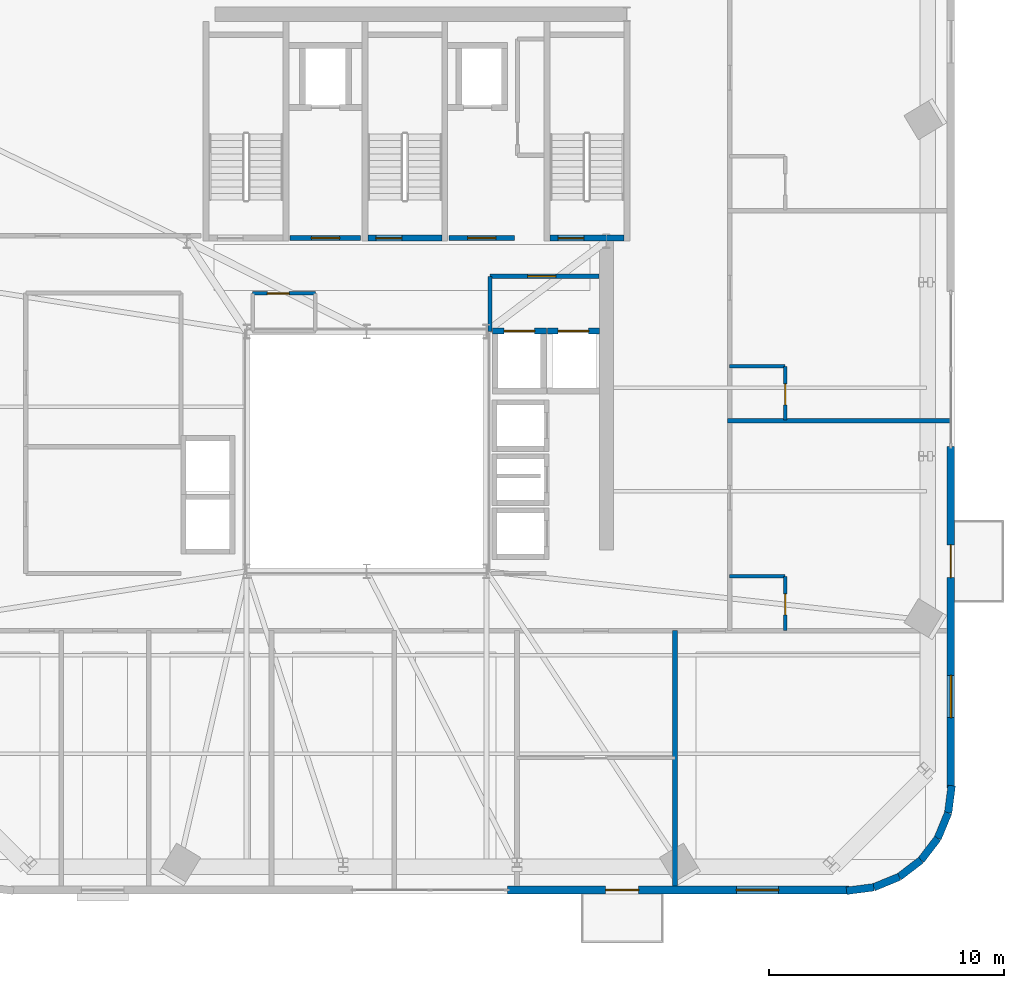
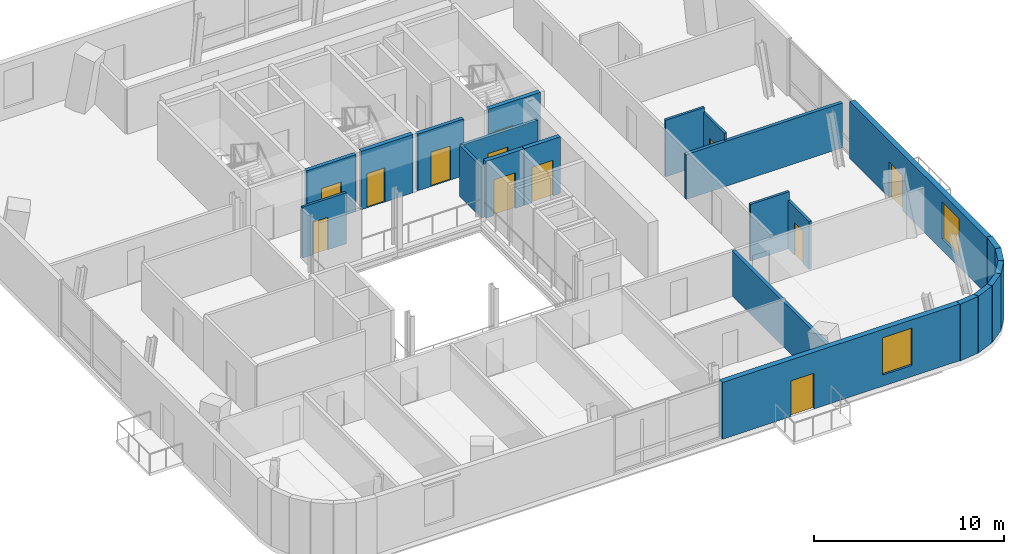
# One storey, part 9 of 15: 23 walls, 12 doors, 2 windows, 14 openings.
"""IFC4 building model written with IfcOpenShell, lengths in metres."""

from ifc_helpers import new_model, si_unit, direction, frame, frame_2d, origin, place, context, subcontext, project, spatial, rectangle, extrude, source, transform, mapped, material, layer, layer_set, type_object, element, fill, save


model = new_model("IFC4")

# Units and contexts
model_context = context("Model", 3, precision=1e-05, world=origin(), true_north=direction((0.0, 1.0)))
body_context = subcontext(model_context, "Body", "Model", "MODEL_VIEW")
ifc_project = project(units=[si_unit("LENGTHUNIT", "METRE"), si_unit("AREAUNIT", "SQUARE_METRE"), si_unit("VOLUMEUNIT", "CUBIC_METRE"), si_unit("PLANEANGLEUNIT", "RADIAN"), si_unit("MASSUNIT", "GRAM", prefix="KILO")], contexts=[model_context])

# Site, building, storey
site_placement = place(None, origin())
site = spatial("IfcSite", under=ifc_project, at=site_placement, CompositionType="ELEMENT")
building_placement = place(site_placement, origin())
building = spatial("IfcBuilding", under=site, at=building_placement, Name="Vardaveli Station Tower", CompositionType="ELEMENT")
storey_placement = place(building_placement, frame((0.0, 0.0, 262.449951171875)))
storey = spatial("IfcBuildingStorey", under=building, at=storey_placement, Name="L67", CompositionType="ELEMENT", Elevation=262.449951171875)

# Wall, openings, door, window
ifc_material_1 = material(Name="Precast concrete C45/55", Category="concrete")
ifc_layer_1 = layer(ifc_material_1, 0.320068359375, Name="Precast concrete C45/55")
ifc_layer_set_1 = layer_set([ifc_layer_1], Name="Precast concrete C45/55")
wall_type_1 = type_object("IfcWallType", Name="WAL-EXT-STONE-320", PredefinedType="SOLIDWALL", material=ifc_layer_set_1)
shared_shape_1 = source(origin(), body_context, "Body", "SweptSolid", [
    extrude(rectangle(XDim=14.52001953125, YDim=0.320068359375, at=frame_2d((7.260009765625, 0.0))), origin(), (0.0, 0.0, 1.0), 3.650146484375),
])
wall_1_placement = place(storey_placement, frame((42.300048828125, 3.0400390625, 0.0), z_axis=(0.0, 0.0, 1.0), x_axis=(1.0, 0.0, 0.0)))
wall_1 = element("IfcWall", 1, at=wall_1_placement, inside=storey, type_object=wall_type_1, Name="EW-L67-S2", PredefinedType="SOLIDWALL", context=body_context, shape_type="MappedRepresentation", body=[
    mapped(shared_shape_1, transform((0.0, 0.0, 0.0), scale=1.0)),
])
shared_shape_2 = source(origin(), body_context, "Body", "SweptSolid", [
    extrude(rectangle(XDim=1.39990234375, YDim=2.300048828125, at=frame_2d((0.699951171875, 1.14990234375))), frame((0.0, 0.169921875, 0.0), z_axis=(0.0, -1.0, 0.0), x_axis=(1.0, 0.0, 0.0)), (0.0, 0.0, 1.0), 0.340087890625),
])
opening_1_placement = place(wall_1_placement, frame((4.1748046875, 0.0, 0.0)))
opening_1 = element("IfcOpeningElement", 2, at=opening_1_placement, cuts=wall_1, Name="Opening D-09", PredefinedType="OPENING", context=body_context, shape_type="MappedRepresentation", body=[
    mapped(shared_shape_2, transform((0.0, 0.0, 0.0), scale=1.0)),
])
shared_shape_3 = source(origin(), body_context, "Body", "SweptSolid", [
    extrude(rectangle(XDim=1.800048828125, YDim=2.39990234375, at=frame_2d((0.89990234375, 1.199951171875))), frame((0.0, 0.169921875, 0.0), z_axis=(0.0, -1.0, 0.0), x_axis=(1.0, 0.0, 0.0)), (0.0, 0.0, 1.0), 0.340087890625),
])
opening_2_placement = place(wall_1_placement, frame((9.73095703125, 0.0, 0.719970703125)))
opening_2 = element("IfcOpeningElement", 3, at=opening_2_placement, cuts=wall_1, Name="Opening W-05", PredefinedType="OPENING", context=body_context, shape_type="MappedRepresentation", body=[
    mapped(shared_shape_3, transform((0.0, 0.0, 0.0), scale=1.0)),
])
ifc_material_2 = material(Name="Thermally broken aluminium glass", Category="aluminium")
door_type_1 = type_object("IfcDoorType", Name="DR-LOG-1400x2300", OperationType="DOUBLE_DOOR_SLIDING", PredefinedType="DOOR", material=ifc_material_2)
shared_shape_4 = source(origin(), body_context, "Body", "SweptSolid", [
    extrude(rectangle(XDim=1.39990234375, YDim=2.300048828125, at=frame_2d((0.699951171875, 1.14990234375))), frame((0.0, 0.02490234375, 0.0), z_axis=(0.0, -1.0, 0.0), x_axis=(1.0, 0.0, 0.0)), (0.0, 0.0, 1.0), 0.050048828125),
])
door_1_placement = place(opening_1_placement, frame((1.39990234375, 0.0, 0.0), z_axis=(0.0, 0.0, 1.0), x_axis=(-1.0, 0.0, 0.0)))
door_1 = element("IfcDoor", 4, at=door_1_placement, inside=storey, type_object=door_type_1, Name="DLG-L67-S", OperationType="DOUBLE_DOOR_SLIDING", OverallHeight=2.300048828125, OverallWidth=1.39990234375, PredefinedType="DOOR", context=body_context, shape_type="MappedRepresentation", body=[
    mapped(shared_shape_4, transform((0.0, 0.0, 0.0), scale=1.0)),
])
fill(opening_1, door_1)
ifc_material_3 = material(Name="Low-E solar-control glass", Category="glass")
window_type = type_object("IfcWindowType", Name="WIN-HIGH-1800x2400", PartitioningType="SINGLE_PANEL", PredefinedType="WINDOW", material=ifc_material_3)
shared_shape_5 = source(origin(), body_context, "Body", "SweptSolid", [
    extrude(rectangle(XDim=1.800048828125, YDim=2.39990234375, at=frame_2d((0.89990234375, 1.199951171875))), frame((0.0, 0.030029296875, 0.0), z_axis=(0.0, -1.0, 0.0), x_axis=(1.0, 0.0, 0.0)), (0.0, 0.0, 1.0), 0.06005859375),
])
window_1_placement = place(opening_2_placement, origin())
window_1 = element("IfcWindow", 5, at=window_1_placement, inside=storey, type_object=window_type, Name="WN-L67-S2", OverallHeight=2.39990234375, OverallWidth=1.800048828125, PartitioningType="SINGLE_PANEL", PredefinedType="WINDOW", context=body_context, shape_type="MappedRepresentation", body=[
    mapped(shared_shape_5, transform((0.0, 0.0, 0.0), scale=1.0)),
])
fill(opening_2, window_1)

wall_2_placement = place(storey_placement, frame((61.159912109375, 7.3798828125, 0.0), z_axis=(0.0, 0.0, 1.0), x_axis=(0.0, 1.0, 0.0)))
wall_2 = element("IfcWall", 6, at=wall_2_placement, inside=storey, type_object=wall_type_1, Name="EW-L67-E1", PredefinedType="SOLIDWALL", context=body_context, shape_type="MappedRepresentation", body=[
    mapped(shared_shape_1, transform((0.0, 0.0, 0.0), scale=1.0)),
])
opening_3_placement = place(wall_2_placement, frame((8.945068359375, 0.0, 0.0)))
opening_3 = element("IfcOpeningElement", 7, at=opening_3_placement, cuts=wall_2, Name="Opening D-09", PredefinedType="OPENING", context=body_context, shape_type="MappedRepresentation", body=[
    mapped(shared_shape_2, transform((0.0, 0.0, 0.0), scale=1.0)),
])
opening_4_placement = place(wall_2_placement, frame((2.989013671875, 0.0, 0.719970703125)))
opening_4 = element("IfcOpeningElement", 8, at=opening_4_placement, cuts=wall_2, Name="Opening W-05", PredefinedType="OPENING", context=body_context, shape_type="MappedRepresentation", body=[
    mapped(shared_shape_3, transform((0.0, 0.0, 0.0), scale=1.0)),
])
door_2_placement = place(opening_3_placement, frame((1.39990234375, 0.0, 0.0), z_axis=(0.0, 0.0, 1.0), x_axis=(-1.0, 0.0, 0.0)))
door_2 = element("IfcDoor", 9, at=door_2_placement, inside=storey, type_object=door_type_1, Name="DLG-L67-E", OperationType="DOUBLE_DOOR_SLIDING", OverallHeight=2.300048828125, OverallWidth=1.39990234375, PredefinedType="DOOR", context=body_context, shape_type="MappedRepresentation", body=[
    mapped(shared_shape_4, transform((0.0, 0.0, 0.0), scale=1.0)),
])
fill(opening_3, door_2)
window_2_placement = place(opening_4_placement, origin())
window_2 = element("IfcWindow", 10, at=window_2_placement, inside=storey, type_object=window_type, Name="WN-L67-E1", OverallHeight=2.39990234375, OverallWidth=1.800048828125, PartitioningType="SINGLE_PANEL", PredefinedType="WINDOW", context=body_context, shape_type="MappedRepresentation", body=[
    mapped(shared_shape_5, transform((0.0, 0.0, 0.0), scale=1.0)),
])
fill(opening_4, window_2)

# Walls
shared_shape_6 = source(origin(), body_context, "Body", "SweptSolid", [
    extrude(rectangle(XDim=1.169921875, YDim=0.320068359375, at=frame_2d((0.5849609375, 0.0))), origin(), (0.0, 0.0, 1.0), 3.650146484375),
])
for number, where, z_axis, x_axis, name in (
    (11, (56.72021484375, 3.005126953125, 0.0), (0.0, 0.0, 1.0), (0.991785553632, 0.12791174929, 0.0), "EW-L67-CR2-1"),
    (12, (61.045166015625, 6.3193359375, 0.0), (0.0, 0.0, 1.0), (0.128116992181, 0.991759061625, 0.0), "EW-L67-CR2-6"),
):
    element("IfcWall", number, at=place(storey_placement, frame(where, z_axis=z_axis, x_axis=x_axis)), inside=storey, type_object=wall_type_1, Name=name, PredefinedType="SOLIDWALL", context=body_context, shape_type="MappedRepresentation", body=[
        mapped(shared_shape_6, transform((0.0, 0.0, 0.0), scale=1.0)),
    ])
shared_shape_7 = source(origin(), body_context, "Body", "SweptSolid", [
    extrude(rectangle(XDim=1.1689453125, YDim=0.320068359375, at=frame_2d((0.58447265625, 0.0))), origin(), (0.0, 0.0, 1.0), 3.650146484375),
])
for number, where, z_axis, x_axis, name in (
    (13, (57.880615234375, 3.15478515625, 0.0), (0.0, 0.0, 1.0), (0.924522320046, 0.381127904695, 0.0), "EW-L67-CR2-2"),
    (14, (60.599609375, 5.238525390625, 0.0), (0.0, 0.0, 1.0), (0.381127904695, 0.924522320046, 0.0), "EW-L67-CR2-5"),
):
    element("IfcWall", number, at=place(storey_placement, frame(where, z_axis=z_axis, x_axis=x_axis)), inside=storey, type_object=wall_type_1, Name=name, PredefinedType="SOLIDWALL", context=body_context, shape_type="MappedRepresentation", body=[
        mapped(shared_shape_7, transform((0.0, 0.0, 0.0), scale=1.0)),
    ])
shared_shape_8 = source(origin(), body_context, "Body", "SweptSolid", [
    extrude(rectangle(XDim=1.168212890625, YDim=0.320068359375, at=frame_2d((0.583984375, 0.0))), origin(), (0.0, 0.0, 1.0), 3.650146484375),
])
wall_3_placement = place(storey_placement, frame((59.888916015625, 4.311279296875, 0.0), z_axis=(0.0, 0.0, 1.0), x_axis=(0.608326246486, 0.793687078033, 0.0)))
element("IfcWall", 15, at=wall_3_placement, inside=storey, type_object=wall_type_1, Name="EW-L67-CR2-4", PredefinedType="SOLIDWALL", context=body_context, shape_type="MappedRepresentation", body=[
    mapped(shared_shape_8, transform((0.0, 0.0, 0.0), scale=1.0)),
])
shared_shape_9 = source(origin(), body_context, "Body", "SweptSolid", [
    extrude(rectangle(XDim=1.168701171875, YDim=0.320068359375, at=frame_2d((0.58447265625, 0.0))), origin(), (0.0, 0.0, 1.0), 3.650146484375),
])
wall_4_placement = place(storey_placement, frame((58.96142578125, 3.600341796875, 0.0), z_axis=(0.0, 0.0, 1.0), x_axis=(0.793663520347, 0.608356981114, 0.0)))
element("IfcWall", 16, at=wall_4_placement, inside=storey, type_object=wall_type_1, Name="EW-L67-CR2-3", PredefinedType="SOLIDWALL", context=body_context, shape_type="MappedRepresentation", body=[
    mapped(shared_shape_9, transform((0.0, 0.0, 0.0), scale=1.0)),
])

# Wall, opening, door
ifc_material_4 = material(Name="Concrete C40/50", Category="concrete")
ifc_layer_2 = layer(ifc_material_4, 0.25, Name="Concrete C40/50")
ifc_layer_set_2 = layer_set([ifc_layer_2], Name="Concrete C40/50")
wall_type_2 = type_object("IfcWallType", Name="WAL-SHAFT-250", PredefinedType="SOLIDWALL", material=ifc_layer_set_2)
shared_shape_10 = source(origin(), body_context, "Body", "SweptSolid", [
    extrude(rectangle(XDim=3.14990234375, YDim=0.25, at=frame_2d((1.574951171875, 0.0))), origin(), (0.0, 0.0, 1.0), 3.75),
])
wall_5_placement = place(storey_placement, frame((36.35009765625, 30.77490234375, 0.0), z_axis=(0.0, 0.0, 1.0), x_axis=(1.0, 0.0, 0.0)))
wall_5 = element("IfcWall", 17, at=wall_5_placement, inside=storey, type_object=wall_type_2, Name="W-L67-ST-2S", PredefinedType="SOLIDWALL", context=body_context, shape_type="MappedRepresentation", body=[
    mapped(shared_shape_10, transform((0.0, 0.0, 0.0), scale=1.0)),
])
shared_shape_11 = source(origin(), body_context, "Body", "SweptSolid", [
    extrude(rectangle(XDim=1.10009765625, YDim=2.199951171875, at=frame_2d((0.550048828125, 1.10009765625))), frame((0.0, 0.135009765625, 0.0), z_axis=(0.0, -1.0, 0.0), x_axis=(1.0, 0.0, 0.0)), (0.0, 0.0, 1.0), 0.27001953125),
])
opening_5_placement = place(wall_5_placement, frame((0.35009765625, 0.0, 0.0)))
opening_5 = element("IfcOpeningElement", 18, at=opening_5_placement, cuts=wall_5, Name="Opening D-04", PredefinedType="OPENING", context=body_context, shape_type="MappedRepresentation", body=[
    mapped(shared_shape_11, transform((0.0, 0.0, 0.0), scale=1.0)),
])
ifc_material_5 = material(Name="Steel smokeproof fire doorset", Category="steel")
door_type_2 = type_object("IfcDoorType", Name="DR-ST-1100x2200", OperationType="NOTDEFINED", PredefinedType="DOOR", material=ifc_material_5)
shared_shape_12 = source(origin(), body_context, "Body", "SweptSolid", [
    extrude(rectangle(XDim=1.10009765625, YDim=2.199951171875, at=frame_2d((0.550048828125, 1.10009765625))), frame((0.0, 0.02490234375, 0.0), z_axis=(0.0, -1.0, 0.0), x_axis=(1.0, 0.0, 0.0)), (0.0, 0.0, 1.0), 0.050048828125),
])
door_3_placement = place(opening_5_placement, origin())
door_3 = element("IfcDoor", 19, at=door_3_placement, inside=storey, type_object=door_type_2, Name="DST-2-L67", OperationType="SINGLE_SWING_LEFT", OverallHeight=2.199951171875, OverallWidth=1.10009765625, PredefinedType="DOOR", context=body_context, shape_type="MappedRepresentation", body=[
    mapped(shared_shape_12, transform((0.0, 0.0, 0.0), scale=1.0)),
])
fill(opening_5, door_3)

wall_6_placement = place(storey_placement, frame((44.10009765625, 30.77490234375, 0.0), z_axis=(0.0, 0.0, 1.0), x_axis=(1.0, 0.0, 0.0)))
wall_6 = element("IfcWall", 20, at=wall_6_placement, inside=storey, type_object=wall_type_2, Name="W-L67-ST-3S", PredefinedType="SOLIDWALL", context=body_context, shape_type="MappedRepresentation", body=[
    mapped(shared_shape_10, transform((0.0, 0.0, 0.0), scale=1.0)),
])
opening_6_placement = place(wall_6_placement, frame((0.35009765625, 0.0, 0.0)))
opening_6 = element("IfcOpeningElement", 21, at=opening_6_placement, cuts=wall_6, Name="Opening D-04", PredefinedType="OPENING", context=body_context, shape_type="MappedRepresentation", body=[
    mapped(shared_shape_11, transform((0.0, 0.0, 0.0), scale=1.0)),
])
door_4_placement = place(opening_6_placement, origin())
door_4 = element("IfcDoor", 22, at=door_4_placement, inside=storey, type_object=door_type_2, Name="DST-3-L67", OperationType="SINGLE_SWING_LEFT", OverallHeight=2.199951171875, OverallWidth=1.10009765625, PredefinedType="DOOR", context=body_context, shape_type="MappedRepresentation", body=[
    mapped(shared_shape_12, transform((0.0, 0.0, 0.0), scale=1.0)),
])
fill(opening_6, door_4)

ifc_layer_3 = layer(ifc_material_4, 0.219970703125, Name="Concrete C40/50")
ifc_layer_set_3 = layer_set([ifc_layer_3], Name="Concrete C40/50")
wall_type_3 = type_object("IfcWallType", Name="WAL-FFLOBBY-220", PredefinedType="SOLIDWALL", material=ifc_layer_set_3)
shared_shape_13 = source(origin(), body_context, "Body", "SweptSolid", [
    extrude(rectangle(XDim=3.0, YDim=0.219970703125, at=frame_2d((1.5, 0.0))), origin(), (0.0, 0.0, 1.0), 3.650146484375),
])
wall_7_placement = place(storey_placement, frame((33.050048828125, 30.780029296875, 0.0), z_axis=(0.0, 0.0, 1.0), x_axis=(1.0, 0.0, 0.0)))
wall_7 = element("IfcWall", 23, at=wall_7_placement, inside=storey, type_object=wall_type_3, Name="W-L67-FFL1S", PredefinedType="SOLIDWALL", context=body_context, shape_type="MappedRepresentation", body=[
    mapped(shared_shape_13, transform((0.0, 0.0, 0.0), scale=1.0)),
])
shared_shape_14 = source(origin(), body_context, "Body", "SweptSolid", [
    extrude(rectangle(XDim=1.199951171875, YDim=2.199951171875, at=frame_2d((0.60009765625, 1.10009765625))), frame((0.0, 0.1201171875, 0.0), z_axis=(0.0, -1.0, 0.0), x_axis=(1.0, 0.0, 0.0)), (0.0, 0.0, 1.0), 0.239990234375),
])
opening_7_placement = place(wall_7_placement, frame((0.89990234375, 0.0, 0.0)))
opening_7 = element("IfcOpeningElement", 24, at=opening_7_placement, cuts=wall_7, Name="Opening D-03", PredefinedType="OPENING", context=body_context, shape_type="MappedRepresentation", body=[
    mapped(shared_shape_14, transform((0.0, 0.0, 0.0), scale=1.0)),
])
door_type_3 = type_object("IfcDoorType", Name="DR-FFL-1200x2200", OperationType="NOTDEFINED", PredefinedType="DOOR", material=ifc_material_5)
shared_shape_15 = source(origin(), body_context, "Body", "SweptSolid", [
    extrude(rectangle(XDim=1.199951171875, YDim=2.199951171875, at=frame_2d((0.60009765625, 1.10009765625))), frame((0.0, 0.02490234375, 0.0), z_axis=(0.0, -1.0, 0.0), x_axis=(1.0, 0.0, 0.0)), (0.0, 0.0, 1.0), 0.050048828125),
])
door_5_placement = place(opening_7_placement, origin())
door_5 = element("IfcDoor", 25, at=door_5_placement, inside=storey, type_object=door_type_3, Name="DFFL1-L67", OperationType="SINGLE_SWING_LEFT", OverallHeight=2.199951171875, OverallWidth=1.199951171875, PredefinedType="DOOR", context=body_context, shape_type="MappedRepresentation", body=[
    mapped(shared_shape_15, transform((0.0, 0.0, 0.0), scale=1.0)),
])
fill(opening_7, door_5)

shared_shape_16 = source(origin(), body_context, "Body", "SweptSolid", [
    extrude(rectangle(XDim=2.800048828125, YDim=0.219970703125, at=frame_2d((1.39990234375, 0.0))), origin(), (0.0, 0.0, 1.0), 3.650146484375),
])
wall_8_placement = place(storey_placement, frame((39.800048828125, 30.780029296875, 0.0), z_axis=(0.0, 0.0, 1.0), x_axis=(1.0, 0.0, 0.0)))
wall_8 = element("IfcWall", 26, at=wall_8_placement, inside=storey, type_object=wall_type_3, Name="W-L67-FFL2S", PredefinedType="SOLIDWALL", context=body_context, shape_type="MappedRepresentation", body=[
    mapped(shared_shape_16, transform((0.0, 0.0, 0.0), scale=1.0)),
])
opening_8_placement = place(wall_8_placement, frame((0.800048828125, 0.0, 0.0)))
opening_8 = element("IfcOpeningElement", 27, at=opening_8_placement, cuts=wall_8, Name="Opening D-03", PredefinedType="OPENING", context=body_context, shape_type="MappedRepresentation", body=[
    mapped(shared_shape_14, transform((0.0, 0.0, 0.0), scale=1.0)),
])
door_6_placement = place(opening_8_placement, origin())
door_6 = element("IfcDoor", 28, at=door_6_placement, inside=storey, type_object=door_type_3, Name="DFFL2-L67", OperationType="SINGLE_SWING_RIGHT", OverallHeight=2.199951171875, OverallWidth=1.199951171875, PredefinedType="DOOR", context=body_context, shape_type="MappedRepresentation", body=[
    mapped(shared_shape_15, transform((0.0, 0.0, 0.0), scale=1.0)),
])
fill(opening_8, door_6)

shared_shape_17 = source(origin(), body_context, "Body", "SweptSolid", [
    extrude(rectangle(XDim=2.300048828125, YDim=0.25, at=frame_2d((1.14990234375, 0.0))), origin(), (0.0, 0.0, 1.0), 3.650146484375),
])
wall_9_placement = place(storey_placement, frame((41.64990234375, 26.824951171875, 0.0), z_axis=(0.0, 0.0, 1.0), x_axis=(1.0, 0.0, 0.0)))
wall_9 = element("IfcWall", 29, at=wall_9_placement, inside=storey, type_object=wall_type_2, Name="SHW-SRV-01-L67-N", PredefinedType="SOLIDWALL", context=body_context, shape_type="MappedRepresentation", body=[
    mapped(shared_shape_17, transform((0.0, 0.0, 0.0), scale=1.0)),
])
shared_shape_18 = source(origin(), body_context, "Body", "SweptSolid", [
    extrude(rectangle(XDim=1.300048828125, YDim=2.300048828125, at=frame_2d((0.64990234375, 1.14990234375))), frame((0.0, 0.135009765625, 0.0), z_axis=(0.0, -1.0, 0.0), x_axis=(1.0, 0.0, 0.0)), (0.0, 0.0, 1.0), 0.27001953125),
])
opening_9_placement = place(wall_9_placement, frame((0.5, 0.0, 0.0)))
opening_9 = element("IfcOpeningElement", 30, at=opening_9_placement, cuts=wall_9, Name="Opening LD-03", PredefinedType="OPENING", context=body_context, shape_type="MappedRepresentation", body=[
    mapped(shared_shape_18, transform((0.0, 0.0, 0.0), scale=1.0)),
])
ifc_material_6 = material(Name="Brushed stainless steel", Category="steel")
door_type_4 = type_object("IfcDoorType", Name="DR-LD-1300x2300", OperationType="DOUBLE_DOOR_SLIDING", PredefinedType="DOOR", material=ifc_material_6)
shared_shape_19 = source(origin(), body_context, "Body", "SweptSolid", [
    extrude(rectangle(XDim=1.300048828125, YDim=2.300048828125, at=frame_2d((0.64990234375, 1.14990234375))), frame((0.0, 0.02490234375, 0.0), z_axis=(0.0, -1.0, 0.0), x_axis=(1.0, 0.0, 0.0)), (0.0, 0.0, 1.0), 0.050048828125),
])
door_7_placement = place(opening_9_placement, origin())
door_7 = element("IfcDoor", 31, at=door_7_placement, inside=storey, type_object=door_type_4, Name="LD-SRV-01-L67", OperationType="DOUBLE_DOOR_SLIDING", OverallHeight=2.300048828125, OverallWidth=1.300048828125, PredefinedType="DOOR", context=body_context, shape_type="MappedRepresentation", body=[
    mapped(shared_shape_19, transform((0.0, 0.0, 0.0), scale=1.0)),
])
fill(opening_9, door_7)

shared_shape_20 = source(origin(), body_context, "Body", "SweptSolid", [
    extrude(rectangle(XDim=2.199951171875, YDim=0.25, at=frame_2d((1.10009765625, 0.0))), origin(), (0.0, 0.0, 1.0), 3.650146484375),
])
wall_10_placement = place(storey_placement, frame((44.0, 26.824951171875, 0.0), z_axis=(0.0, 0.0, 1.0), x_axis=(1.0, 0.0, 0.0)))
wall_10 = element("IfcWall", 32, at=wall_10_placement, inside=storey, type_object=wall_type_2, Name="SHW-SRV-02-L67-N", PredefinedType="SOLIDWALL", context=body_context, shape_type="MappedRepresentation", body=[
    mapped(shared_shape_20, transform((0.0, 0.0, 0.0), scale=1.0)),
])
opening_10_placement = place(wall_10_placement, frame((0.449951171875, 0.0, 0.0)))
opening_10 = element("IfcOpeningElement", 33, at=opening_10_placement, cuts=wall_10, Name="Opening LD-03", PredefinedType="OPENING", context=body_context, shape_type="MappedRepresentation", body=[
    mapped(shared_shape_18, transform((0.0, 0.0, 0.0), scale=1.0)),
])
door_8_placement = place(opening_10_placement, origin())
door_8 = element("IfcDoor", 34, at=door_8_placement, inside=storey, type_object=door_type_4, Name="LD-SRV-02-L67", OperationType="DOUBLE_DOOR_SLIDING", OverallHeight=2.300048828125, OverallWidth=1.300048828125, PredefinedType="DOOR", context=body_context, shape_type="MappedRepresentation", body=[
    mapped(shared_shape_19, transform((0.0, 0.0, 0.0), scale=1.0)),
])
fill(opening_10, door_8)

ifc_material_7 = material(Name="Fire-rated gypsum stud partition")
ifc_layer_4 = layer(ifc_material_7, 0.179931640625, Name="Fire-rated gypsum stud partition")
ifc_layer_set_4 = layer_set([ifc_layer_4], Name="Fire-rated gypsum stud partition")
wall_type_4 = type_object("IfcWallType", Name="WAL-CORR-180", PredefinedType="PARTITIONING", material=ifc_layer_set_4)
shared_shape_21 = source(origin(), body_context, "Body", "SweptSolid", [
    extrude(rectangle(XDim=4.64794921875, YDim=0.179931640625, at=frame_2d((2.323974609375, 0.0))), origin(), (0.0, 0.0, 1.0), 3.281982421875),
])
wall_11_placement = place(storey_placement, frame((41.550048828125, 29.14990234375, 0.0), z_axis=(0.0, 0.0, 1.0), x_axis=(1.0, 0.0, 0.0)))
wall_11 = element("IfcWall", 35, at=wall_11_placement, inside=storey, type_object=wall_type_4, Name="W-L67-SVFN", PredefinedType="PARTITIONING", context=body_context, shape_type="MappedRepresentation", body=[
    mapped(shared_shape_21, transform((0.0, 0.0, 0.0), scale=1.0)),
])
shared_shape_22 = source(origin(), body_context, "Body", "SweptSolid", [
    extrude(rectangle(XDim=1.199951171875, YDim=2.199951171875, at=frame_2d((0.60009765625, 1.10009765625))), frame((0.0, 0.10009765625, 0.0), z_axis=(0.0, -1.0, 0.0), x_axis=(1.0, 0.0, 0.0)), (0.0, 0.0, 1.0), 0.199951171875),
])
opening_11_placement = place(wall_11_placement, frame((1.60009765625, 0.0, 0.0)))
opening_11 = element("IfcOpeningElement", 36, at=opening_11_placement, cuts=wall_11, Name="Opening D-03", PredefinedType="OPENING", context=body_context, shape_type="MappedRepresentation", body=[
    mapped(shared_shape_22, transform((0.0, 0.0, 0.0), scale=1.0)),
])
door_9_placement = place(opening_11_placement, origin())
door_9 = element("IfcDoor", 37, at=door_9_placement, inside=storey, type_object=door_type_3, Name="D-L67-SVF", OperationType="SINGLE_SWING_LEFT", OverallHeight=2.199951171875, OverallWidth=1.199951171875, PredefinedType="DOOR", context=body_context, shape_type="MappedRepresentation", body=[
    mapped(shared_shape_15, transform((0.0, 0.0, 0.0), scale=1.0)),
])
fill(opening_11, door_9)

ifc_material_8 = material(Name="Moisture-resistant stud partition")
ifc_layer_5 = layer(ifc_material_8, 0.14990234375, Name="Moisture-resistant stud partition")
ifc_layer_set_5 = layer_set([ifc_layer_5], Name="Moisture-resistant stud partition")
wall_type_5 = type_object("IfcWallType", Name="WAL-WET-150", PredefinedType="PARTITIONING", material=ifc_layer_set_5)
shared_shape_23 = source(origin(), body_context, "Body", "SweptSolid", [
    extrude(rectangle(XDim=2.670166015625, YDim=0.14990234375, at=frame_2d((1.3349609375, 0.0))), origin(), (0.0, 0.0, 1.0), 3.281982421875),
])
wall_12_placement = place(storey_placement, frame((31.449951171875, 28.419921875, 0.0), z_axis=(0.0, 0.0, 1.0), x_axis=(1.0, 0.0, 0.0)))
wall_12 = element("IfcWall", 38, at=wall_12_placement, inside=storey, type_object=wall_type_5, Name="W-L67-WCA1-N", PredefinedType="PARTITIONING", context=body_context, shape_type="MappedRepresentation", body=[
    mapped(shared_shape_23, transform((0.0, 0.0, 0.0), scale=1.0)),
])
shared_shape_24 = source(origin(), body_context, "Body", "SweptSolid", [
    extrude(rectangle(XDim=0.919921875, YDim=2.10009765625, at=frame_2d((0.4599609375, 1.050048828125))), frame((0.0, 0.0849609375, 0.0), z_axis=(0.0, -1.0, 0.0), x_axis=(1.0, 0.0, 0.0)), (0.0, 0.0, 1.0), 0.169921875),
])
opening_12_placement = place(wall_12_placement, frame((0.6298828125, 0.0, 0.0)))
opening_12 = element("IfcOpeningElement", 39, at=opening_12_placement, cuts=wall_12, Name="Opening D-07", PredefinedType="OPENING", context=body_context, shape_type="MappedRepresentation", body=[
    mapped(shared_shape_24, transform((0.0, 0.0, 0.0), scale=1.0)),
])
ifc_material_9 = material(Name="Moisture-resistant hardwood door", Category="wood")
door_type_5 = type_object("IfcDoorType", Name="DR-WC-920x2100", OperationType="NOTDEFINED", PredefinedType="DOOR", material=ifc_material_9)
shared_shape_25 = source(origin(), body_context, "Body", "SweptSolid", [
    extrude(rectangle(XDim=0.919921875, YDim=2.10009765625, at=frame_2d((0.4599609375, 1.050048828125))), frame((0.0, 0.02490234375, 0.0), z_axis=(0.0, -1.0, 0.0), x_axis=(1.0, 0.0, 0.0)), (0.0, 0.0, 1.0), 0.050048828125),
])
door_10_placement = place(opening_12_placement, origin())
door_10 = element("IfcDoor", 40, at=door_10_placement, inside=storey, type_object=door_type_5, Name="D-L67-WCA", OperationType="SINGLE_SWING_RIGHT", OverallHeight=2.10009765625, OverallWidth=0.919921875, PredefinedType="DOOR", context=body_context, shape_type="MappedRepresentation", body=[
    mapped(shared_shape_25, transform((0.0, 0.0, 0.0), scale=1.0)),
])
fill(opening_12, door_10)

# Wall
shared_shape_26 = source(origin(), body_context, "Body", "SweptSolid", [
    extrude(rectangle(XDim=2.349853515625, YDim=0.179931640625, at=frame_2d((1.1748046875, 0.0))), origin(), (0.0, 0.0, 1.0), 3.281982421875),
])
wall_13_placement = place(storey_placement, frame((41.550048828125, 26.800048828125, 0.0), z_axis=(0.0, 0.0, 1.0), x_axis=(0.0, 1.0, 0.0)))
element("IfcWall", 41, at=wall_13_placement, inside=storey, type_object=wall_type_4, Name="W-L67-SVFW", PredefinedType="PARTITIONING", context=body_context, shape_type="MappedRepresentation", body=[
    mapped(shared_shape_26, transform((0.0, 0.0, 0.0), scale=1.0)),
])

# Wall, opening, door
shared_shape_27 = source(origin(), body_context, "Body", "SweptSolid", [
    extrude(rectangle(XDim=2.289794921875, YDim=0.14990234375, at=frame_2d((1.14501953125, 0.0))), origin(), (0.0, 0.0, 1.0), 3.092041015625),
])
wall_14_placement = place(storey_placement, frame((54.110107421875, 14.090087890625, 0.0), z_axis=(0.0, 0.0, 1.0), x_axis=(0.0, 1.0, 0.0)))
wall_14 = element("IfcWall", 42, at=wall_14_placement, inside=storey, type_object=wall_type_5, Name="W-L67-BE1-E", PredefinedType="PARTITIONING", context=body_context, shape_type="MappedRepresentation", body=[
    mapped(shared_shape_27, transform((0.0, 0.0, 0.0), scale=1.0)),
])
shared_shape_28 = source(origin(), body_context, "Body", "SweptSolid", [
    extrude(rectangle(XDim=0.89990234375, YDim=2.10009765625, at=frame_2d((0.449951171875, 1.050048828125))), frame((0.0, 0.0849609375, 0.0), z_axis=(0.0, -1.0, 0.0), x_axis=(1.0, 0.0, 0.0)), (0.0, 0.0, 1.0), 0.169921875),
])
opening_13_placement = place(wall_14_placement, frame((0.64990234375, 0.0, 0.0)))
opening_13 = element("IfcOpeningElement", 43, at=opening_13_placement, cuts=wall_14, Name="Opening D-08", PredefinedType="OPENING", context=body_context, shape_type="MappedRepresentation", body=[
    mapped(shared_shape_28, transform((0.0, 0.0, 0.0), scale=1.0)),
])
ifc_material_10 = material(Name="Moisture-resistant oak door")
door_type_6 = type_object("IfcDoorType", Name="DR-BATH-900x2100", OperationType="NOTDEFINED", PredefinedType="DOOR", material=ifc_material_10)
shared_shape_29 = source(origin(), body_context, "Body", "SweptSolid", [
    extrude(rectangle(XDim=0.89990234375, YDim=2.10009765625, at=frame_2d((0.449951171875, 1.050048828125))), frame((0.0, 0.02490234375, 0.0), z_axis=(0.0, -1.0, 0.0), x_axis=(1.0, 0.0, 0.0)), (0.0, 0.0, 1.0), 0.050048828125),
])
door_11_placement = place(opening_13_placement, origin())
door_11 = element("IfcDoor", 44, at=door_11_placement, inside=storey, type_object=door_type_6, Name="D-L67-BE1", OperationType="SINGLE_SWING_RIGHT", OverallHeight=2.10009765625, OverallWidth=0.89990234375, PredefinedType="DOOR", context=body_context, shape_type="MappedRepresentation", body=[
    mapped(shared_shape_29, transform((0.0, 0.0, 0.0), scale=1.0)),
])
fill(opening_13, door_11)

shared_shape_30 = source(origin(), body_context, "Body", "SweptSolid", [
    extrude(rectangle(XDim=2.289794921875, YDim=0.14990234375, at=frame_2d((1.14501953125, 0.0))), origin(), (0.0, 0.0, 1.0), 3.342041015625),
])
wall_15_placement = place(storey_placement, frame((54.110107421875, 23.027099609375, 0.0), z_axis=(0.0, 0.0, 1.0), x_axis=(0.0, 1.0, 0.0)))
wall_15 = element("IfcWall", 45, at=wall_15_placement, inside=storey, type_object=wall_type_5, Name="W-L67-BE2-E", PredefinedType="PARTITIONING", context=body_context, shape_type="MappedRepresentation", body=[
    mapped(shared_shape_30, transform((0.0, 0.0, 0.0), scale=1.0)),
])
opening_14_placement = place(wall_15_placement, frame((0.64990234375, 0.0, 0.0)))
opening_14 = element("IfcOpeningElement", 46, at=opening_14_placement, cuts=wall_15, Name="Opening D-08", PredefinedType="OPENING", context=body_context, shape_type="MappedRepresentation", body=[
    mapped(shared_shape_28, transform((0.0, 0.0, 0.0), scale=1.0)),
])
door_12_placement = place(opening_14_placement, origin())
door_12 = element("IfcDoor", 47, at=door_12_placement, inside=storey, type_object=door_type_6, Name="D-L67-BE2", OperationType="SINGLE_SWING_LEFT", OverallHeight=2.10009765625, OverallWidth=0.89990234375, PredefinedType="DOOR", context=body_context, shape_type="MappedRepresentation", body=[
    mapped(shared_shape_29, transform((0.0, 0.0, 0.0), scale=1.0)),
])
fill(opening_14, door_12)

# Walls
ifc_material_11 = material(Name="Acoustic twin-stud gypsum partition")
ifc_layer_6 = layer(ifc_material_11, 0.199951171875, Name="Acoustic twin-stud gypsum partition")
ifc_layer_set_6 = layer_set([ifc_layer_6], Name="Acoustic twin-stud gypsum partition")
wall_type_6 = type_object("IfcWallType", Name="WAL-PARTY-200", PredefinedType="PARTITIONING", material=ifc_layer_set_6)
shared_shape_31 = source(origin(), body_context, "Body", "SweptSolid", [
    extrude(rectangle(XDim=10.8681640625, YDim=0.199951171875, at=frame_2d((5.43408203125, 0.0))), origin(), (0.0, 0.0, 1.0), 2.89208984375),
])
wall_16_placement = place(storey_placement, frame((49.419921875, 3.201904296875, 0.0), z_axis=(0.0, 0.0, 1.0), x_axis=(0.0, 1.0, 0.0)))
element("IfcWall", 48, at=wall_16_placement, inside=storey, type_object=wall_type_6, Name="W-L67-PS6", PredefinedType="PARTITIONING", context=body_context, shape_type="MappedRepresentation", body=[
    mapped(shared_shape_31, transform((0.0, 0.0, 0.0), scale=1.0)),
])
shared_shape_32 = source(origin(), body_context, "Body", "SweptSolid", [
    extrude(rectangle(XDim=9.5400390625, YDim=0.199951171875, at=frame_2d((4.77001953125, 0.0))), origin(), (0.0, 0.0, 1.0), 2.89208984375),
])
wall_17_placement = place(storey_placement, frame((51.64990234375, 23.007080078125, 0.0), z_axis=(0.0, 0.0, 1.0), x_axis=(1.0, 0.0, 0.0)))
element("IfcWall", 49, at=wall_17_placement, inside=storey, type_object=wall_type_6, Name="W-L67-PE1", PredefinedType="PARTITIONING", context=body_context, shape_type="MappedRepresentation", body=[
    mapped(shared_shape_32, transform((0.0, 0.0, 0.0), scale=1.0)),
])
shared_shape_33 = source(origin(), body_context, "Body", "SweptSolid", [
    extrude(rectangle(XDim=2.360107421875, YDim=0.14990234375, at=frame_2d((1.18017578125, 0.0))), origin(), (0.0, 0.0, 1.0), 3.650146484375),
])
for number, where, z_axis, x_axis, name in (
    (50, (51.75, 16.3798828125, 0.0), (0.0, 0.0, 1.0), (1.0, 0.0, 0.0), "W-L67-BE1-N"),
    (51, (51.75, 25.31689453125, 0.0), (0.0, 0.0, 1.0), (1.0, 0.0, 0.0), "W-L67-BE2-N"),
):
    element("IfcWall", number, at=place(storey_placement, frame(where, z_axis=z_axis, x_axis=x_axis)), inside=storey, type_object=wall_type_5, Name=name, PredefinedType="PARTITIONING", context=body_context, shape_type="MappedRepresentation", body=[
        mapped(shared_shape_33, transform((0.0, 0.0, 0.0), scale=1.0)),
    ])

save(model, "model.ifc")
